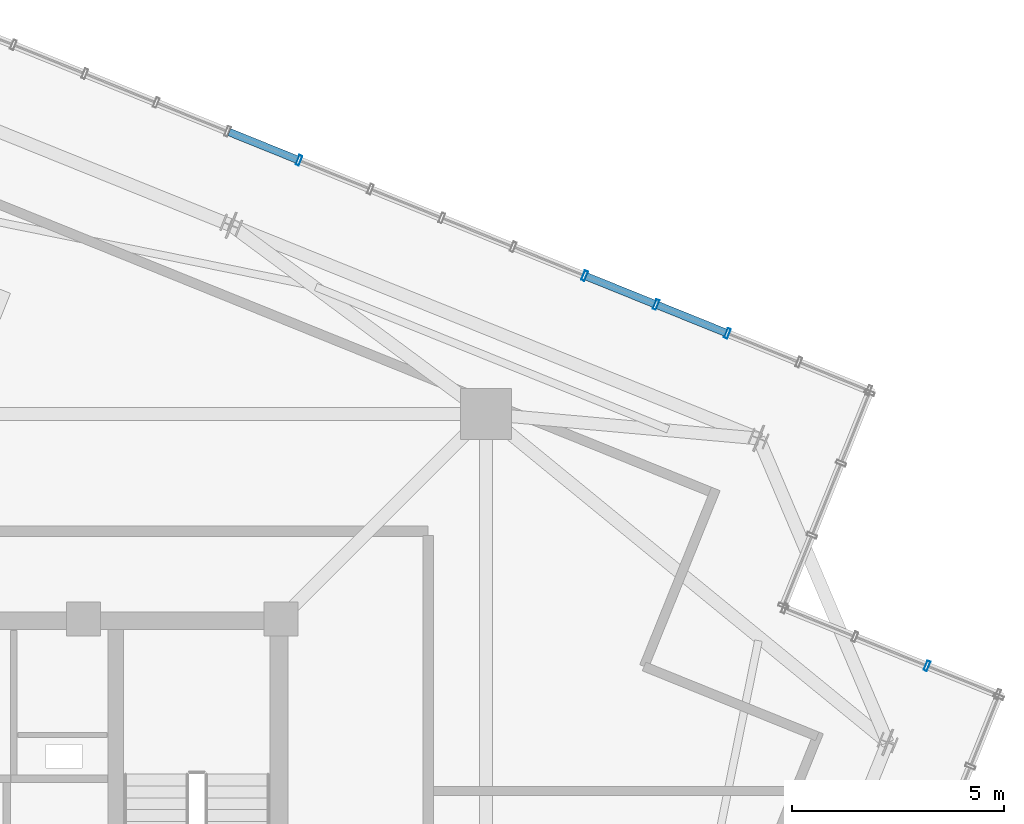
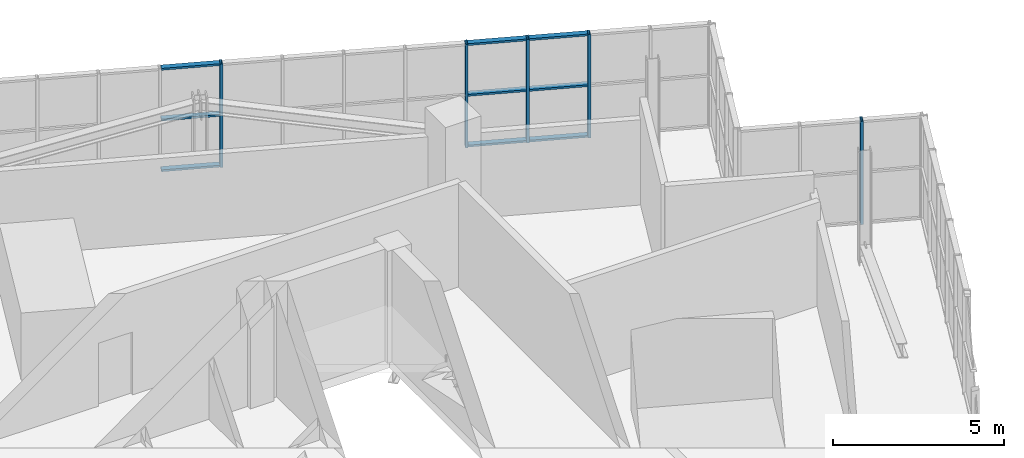
# One storey, part 17 of 26: 14 members, 2 elements without a shape of their own.
"""IFC4 building model written with IfcOpenShell, lengths in metres."""

from ifc_helpers import new_model, si_unit, direction, frame, origin, origin_2d, place, context, subcontext, project, spatial, hollow_rectangle, extrude, source, transform, mapped, material, layer, layer_set, material_profile, profile_set, type_object, element, aggregate, save


model = new_model("IFC4")

# Units and contexts
model_context = context("Model", 3, precision=1e-05, world=origin(), true_north=direction((0.0, 1.0)))
body_context = subcontext(model_context, "Body", "Model", "MODEL_VIEW")
ifc_project = project(units=[si_unit("LENGTHUNIT", "METRE"), si_unit("AREAUNIT", "SQUARE_METRE"), si_unit("VOLUMEUNIT", "CUBIC_METRE"), si_unit("PLANEANGLEUNIT", "RADIAN"), si_unit("MASSUNIT", "GRAM", prefix="KILO"), si_unit("THERMODYNAMICTEMPERATUREUNIT", "KELVIN")], contexts=[model_context])

# Site, building, storey
site_placement = place(None, origin())
site = spatial("IfcSite", under=ifc_project, at=site_placement, CompositionType="ELEMENT")
building_placement = place(site_placement, origin())
building = spatial("IfcBuilding", under=site, at=building_placement, Name="Kosmvard Interchange Tower", CompositionType="ELEMENT")
storey_placement = place(building_placement, frame((0.0, 0.0, 337.60009765625)))
storey = spatial("IfcBuildingStorey", under=building, at=storey_placement, Name="L83", CompositionType="ELEMENT", Elevation=337.60009765625)

# Curtain wall, member
ifc_material = material(Name="Architectural anodised aluminium", Category="aluminium")
ifc_layer = layer(ifc_material, 0.25, Name="Architectural anodised aluminium")
ifc_layer_set = layer_set([ifc_layer], Name="Architectural anodised aluminium")
curtain_wall_type = type_object("IfcCurtainWallType", Name="CW-6 Illuminated Crown Lantern Curtain Wall", PredefinedType="NOTDEFINED", material=ifc_layer_set)
curtain_wall_1_placement = place(storey_placement, origin())
curtain_wall_1 = element("IfcCurtainWall", 1, at=curtain_wall_1_placement, inside=storey, type_object=curtain_wall_type, Name="L83 Crown Lantern Glazing Face 02", PredefinedType="NOTDEFINED")
ifc_material_profile_1 = material_profile(ifc_material, hollow_rectangle(XDim=0.239990234375, YDim=0.080078125, WallThickness=0.006103515625, at=origin_2d()), Name="CWM 240x80x6")
ifc_profile_set_1 = profile_set([ifc_material_profile_1], Name="Architectural anodised aluminium")
member_type_1 = type_object("IfcMemberType", Name="Lantern & Observation CW Mullion 240x80 Aluminium", PredefinedType="MULLION", material=ifc_profile_set_1)
shared_shape_1 = source(origin(), body_context, "Body", "SweptSolid", [
    extrude(hollow_rectangle(XDim=0.239990234375, YDim=0.080078125, WallThickness=0.006103515625, at=origin_2d()), origin(), (0.0, 0.0, 1.0), 3.699951171875),
])
member_1_placement = place(storey_placement, frame((23.473388671875, 7.147216796875, 0.0), z_axis=(0.0, 0.0, 1.0), x_axis=(-0.374606564822, -0.92718386612, 0.0)))
member_1 = element("IfcMember", 2, at=member_1_placement, type_object=member_type_1, Name="CW-6 mullion 2", PredefinedType="MULLION", context=body_context, shape_type="MappedRepresentation", body=[
    mapped(shared_shape_1, transform((0.0, 0.0, 0.0), scale=1.0)),
])
aggregate(curtain_wall_1, [member_1])

# Curtain wall, members
curtain_wall_2_placement = place(storey_placement, origin())
curtain_wall_2 = element("IfcCurtainWall", 3, at=curtain_wall_2_placement, inside=storey, type_object=curtain_wall_type, Name="L83 Crown Lantern Glazing Face 04", PredefinedType="NOTDEFINED")
member_2_placement = place(storey_placement, frame((18.77001953125, 14.9794921875, 0.0), z_axis=(0.0, 0.0, 1.0), x_axis=(-0.374606584758, -0.927183858065, 0.0)))
member_2 = element("IfcMember", 4, at=member_2_placement, type_object=member_type_1, Name="CW-6 mullion 3", PredefinedType="MULLION", context=body_context, shape_type="MappedRepresentation", body=[
    mapped(shared_shape_1, transform((0.0, 0.0, 0.0), scale=1.0)),
])
member_3_placement = place(storey_placement, frame((17.087890625, 15.658935546875, 0.0), z_axis=(0.0, 0.0, 1.0), x_axis=(-0.374606584758, -0.927183858065, 0.0)))
member_3 = element("IfcMember", 5, at=member_3_placement, type_object=member_type_1, Name="CW-6 mullion 4", PredefinedType="MULLION", context=body_context, shape_type="MappedRepresentation", body=[
    mapped(shared_shape_1, transform((0.0, 0.0, 0.0), scale=1.0)),
])
member_4_placement = place(storey_placement, frame((15.40576171875, 16.338623046875, 0.0), z_axis=(0.0, 0.0, 1.0), x_axis=(-0.374606584758, -0.927183858065, 0.0)))
member_4 = element("IfcMember", 6, at=member_4_placement, type_object=member_type_1, Name="CW-6 mullion 5", PredefinedType="MULLION", context=body_context, shape_type="MappedRepresentation", body=[
    mapped(shared_shape_1, transform((0.0, 0.0, 0.0), scale=1.0)),
])
member_5_placement = place(storey_placement, frame((8.677734375, 19.056884765625, 0.0), z_axis=(0.0, 0.0, 1.0), x_axis=(-0.374606584758, -0.927183858065, 0.0)))
member_5 = element("IfcMember", 7, at=member_5_placement, type_object=member_type_1, Name="CW-6 mullion 9", PredefinedType="MULLION", context=body_context, shape_type="MappedRepresentation", body=[
    mapped(shared_shape_1, transform((0.0, 0.0, 0.0), scale=1.0)),
])
ifc_material_profile_2 = material_profile(ifc_material, hollow_rectangle(XDim=0.179931640625, YDim=0.070068359375, WallThickness=0.0048828125, at=origin_2d()), Name="CWT 180x70x5")
ifc_profile_set_2 = profile_set([ifc_material_profile_2], Name="Architectural anodised aluminium")
member_type_2 = type_object("IfcMemberType", Name="Heavy Lantern CW Transom 180x70 Aluminium", PredefinedType="USERDEFINED", material=ifc_profile_set_2)
shared_shape_2 = source(origin(), body_context, "Body", "SweptSolid", [
    extrude(hollow_rectangle(XDim=0.179931640625, YDim=0.070068359375, WallThickness=0.0048828125, at=origin_2d()), origin(), (0.0, 0.0, 1.0), 1.734130859375),
])
member_6_placement = place(storey_placement, frame((18.73291015625, 14.994384765625, 0.034912109375), z_axis=(-0.927179782522, 0.374616671924, 0.0), x_axis=(-0.374616671924, -0.927179782522, 0.0)))
member_6 = element("IfcMember", 8, at=member_6_placement, type_object=member_type_2, Name="CW-6 transom 3.1", ObjectType="TRANSOM", PredefinedType="USERDEFINED", context=body_context, shape_type="MappedRepresentation", body=[
    mapped(shared_shape_2, transform((0.0, 0.0, 0.0), scale=1.0)),
])
member_7_placement = place(storey_placement, frame((18.73291015625, 14.994384765625, 1.849853515625), z_axis=(-0.927179782522, 0.374616671924, 0.0), x_axis=(-0.374616671924, -0.927179782522, 0.0)))
member_7 = element("IfcMember", 9, at=member_7_placement, type_object=member_type_2, Name="CW-6 transom 3.2", ObjectType="TRANSOM", PredefinedType="USERDEFINED", context=body_context, shape_type="MappedRepresentation", body=[
    mapped(shared_shape_2, transform((0.0, 0.0, 0.0), scale=1.0)),
])
member_8_placement = place(storey_placement, frame((18.73291015625, 14.994384765625, 3.664794921875), z_axis=(-0.927179782522, 0.374616671924, 0.0), x_axis=(-0.374616671924, -0.927179782522, 0.0)))
member_8 = element("IfcMember", 10, at=member_8_placement, type_object=member_type_2, Name="CW-6 transom 3.3", ObjectType="TRANSOM", PredefinedType="USERDEFINED", context=body_context, shape_type="MappedRepresentation", body=[
    mapped(shared_shape_2, transform((0.0, 0.0, 0.0), scale=1.0)),
])
member_9_placement = place(storey_placement, frame((17.05078125, 15.674072265625, 0.034912109375), z_axis=(-0.927228675447, 0.374495638732, 0.0), x_axis=(-0.374495638732, -0.927228675447, 0.0)))
member_9 = element("IfcMember", 11, at=member_9_placement, type_object=member_type_2, Name="CW-6 transom 4.1", ObjectType="TRANSOM", PredefinedType="USERDEFINED", context=body_context, shape_type="MappedRepresentation", body=[
    mapped(shared_shape_2, transform((0.0, 0.0, 0.0), scale=1.0)),
])
member_10_placement = place(storey_placement, frame((17.05078125, 15.674072265625, 1.849853515625), z_axis=(-0.927228675447, 0.374495638732, 0.0), x_axis=(-0.374495638732, -0.927228675447, 0.0)))
member_10 = element("IfcMember", 12, at=member_10_placement, type_object=member_type_2, Name="CW-6 transom 4.2", ObjectType="TRANSOM", PredefinedType="USERDEFINED", context=body_context, shape_type="MappedRepresentation", body=[
    mapped(shared_shape_2, transform((0.0, 0.0, 0.0), scale=1.0)),
])
member_11_placement = place(storey_placement, frame((17.05078125, 15.674072265625, 3.664794921875), z_axis=(-0.927228675447, 0.374495638732, 0.0), x_axis=(-0.374495638732, -0.927228675447, 0.0)))
member_11 = element("IfcMember", 13, at=member_11_placement, type_object=member_type_2, Name="CW-6 transom 4.3", ObjectType="TRANSOM", PredefinedType="USERDEFINED", context=body_context, shape_type="MappedRepresentation", body=[
    mapped(shared_shape_2, transform((0.0, 0.0, 0.0), scale=1.0)),
])
shared_shape_3 = source(origin(), body_context, "Body", "SweptSolid", [
    extrude(hollow_rectangle(XDim=0.179931640625, YDim=0.070068359375, WallThickness=0.0048828125, at=origin_2d()), origin(), (0.0, 0.0, 1.0), 1.73388671875),
])
member_12_placement = place(storey_placement, frame((8.640625, 19.07177734375, 0.034912109375), z_axis=(-0.927160021861, 0.374665576032, 0.0), x_axis=(-0.374665576032, -0.927160021861, 0.0)))
member_12 = element("IfcMember", 14, at=member_12_placement, type_object=member_type_2, Name="CW-6 transom 9.1", ObjectType="TRANSOM", PredefinedType="USERDEFINED", context=body_context, shape_type="MappedRepresentation", body=[
    mapped(shared_shape_3, transform((0.0, 0.0, 0.0), scale=1.0)),
])
member_13_placement = place(storey_placement, frame((8.640625, 19.07177734375, 1.849853515625), z_axis=(-0.927160021861, 0.374665576032, 0.0), x_axis=(-0.374665576032, -0.927160021861, 0.0)))
member_13 = element("IfcMember", 15, at=member_13_placement, type_object=member_type_2, Name="CW-6 transom 9.2", ObjectType="TRANSOM", PredefinedType="USERDEFINED", context=body_context, shape_type="MappedRepresentation", body=[
    mapped(shared_shape_3, transform((0.0, 0.0, 0.0), scale=1.0)),
])
member_14_placement = place(storey_placement, frame((8.640625, 19.07177734375, 3.664794921875), z_axis=(-0.927160021861, 0.374665576032, 0.0), x_axis=(-0.374665576032, -0.927160021861, 0.0)))
member_14 = element("IfcMember", 16, at=member_14_placement, type_object=member_type_2, Name="CW-6 transom 9.3", ObjectType="TRANSOM", PredefinedType="USERDEFINED", context=body_context, shape_type="MappedRepresentation", body=[
    mapped(shared_shape_3, transform((0.0, 0.0, 0.0), scale=1.0)),
])
aggregate(curtain_wall_2, [member_2, member_3, member_4, member_5, member_6, member_7, member_8, member_9, member_10, member_11, member_12, member_13, member_14])

save(model, "model.ifc")
